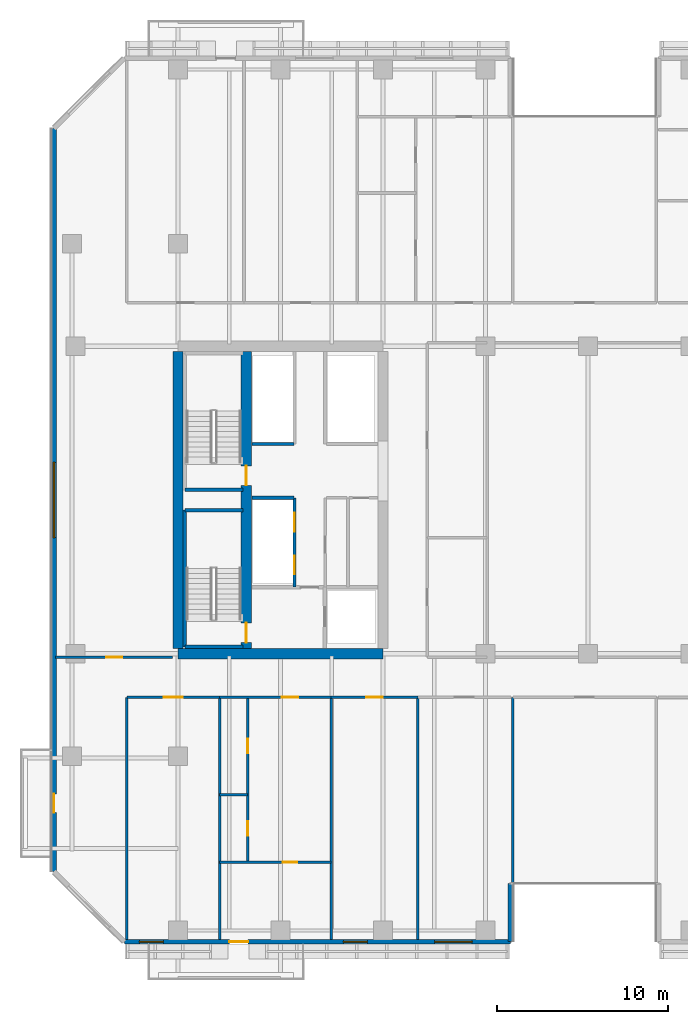
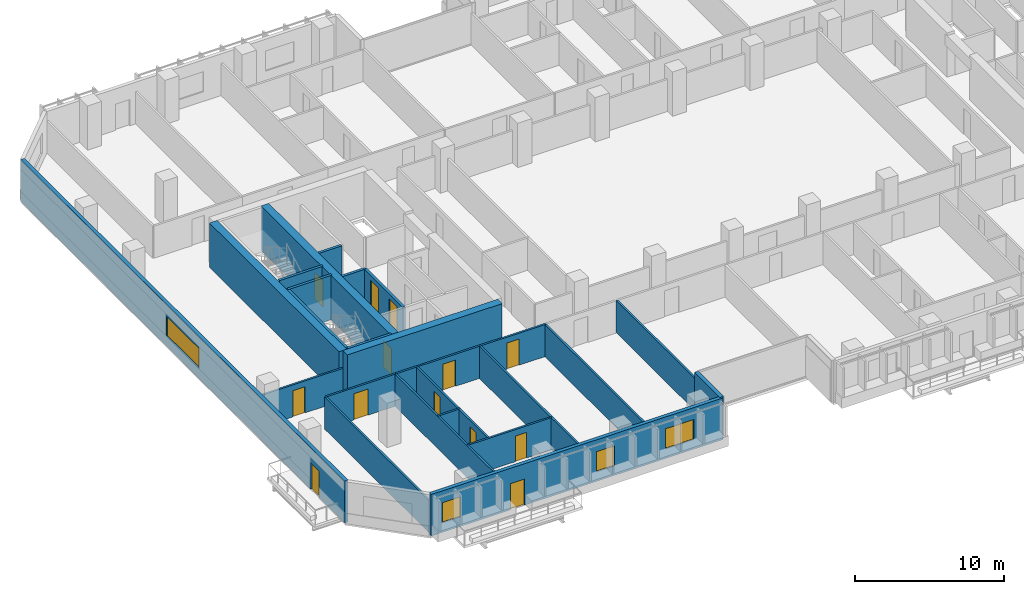
# One storey, part 10 of 26: 25 walls, 13 doors, 4 windows, 17 openings.
"""IFC4 building model written with IfcOpenShell, lengths in metres."""

from ifc_helpers import new_model, si_unit, direction, frame, frame_2d, origin, place, context, subcontext, project, spatial, rectangle, extrude, material, layer, layer_set, type_object, element, fill, save


model = new_model("IFC4")

# Units and contexts
model_context = context("Model", 3, precision=1e-05, world=origin(), true_north=direction((0.0, 1.0)))
body_context = subcontext(model_context, "Body", "Model", "MODEL_VIEW")
ifc_project = project(units=[si_unit("LENGTHUNIT", "METRE"), si_unit("AREAUNIT", "SQUARE_METRE"), si_unit("VOLUMEUNIT", "CUBIC_METRE"), si_unit("PLANEANGLEUNIT", "RADIAN"), si_unit("MASSUNIT", "GRAM", prefix="KILO")], contexts=[model_context])

# Site, building, storey
site_placement = place(None, origin())
site = spatial("IfcSite", under=ifc_project, at=site_placement, CompositionType="ELEMENT")
building_placement = place(site_placement, origin())
building = spatial("IfcBuilding", under=site, at=building_placement, Name="Tanjung Sevakor Pilgrim Tower", CompositionType="ELEMENT")
storey_placement = place(building_placement, frame((0.0, 0.0, 66.0)))
storey = spatial("IfcBuildingStorey", under=building, at=storey_placement, Name="L18", CompositionType="ELEMENT", Elevation=66.0)

# Walls
ifc_material_1 = material(Name="Concrete C60/75", Category="concrete")
ifc_layer_1 = layer(ifc_material_1, 0.60009765625)
ifc_layer_set_1 = layer_set([ifc_layer_1], Name="WALL-CW-600")
wall_type_1 = type_object("IfcWallType", Name="WALL-CW-600", PredefinedType="SHEAR", material=ifc_layer_set_1)
wall_1_placement = place(storey_placement, frame((24.0, 24.60009765625, 0.0), z_axis=(0.0, 0.0, 1.0), x_axis=(1.0, 0.0, 0.0)))
element("IfcWall", 1, at=wall_1_placement, inside=storey, type_object=wall_type_1, Name="L18 W Core South Shear Wall", PredefinedType="SHEAR", context=body_context, shape_type="SweptSolid", body=[
    extrude(rectangle(XDim=12.0, YDim=0.60009765625, at=frame_2d((6.0, 0.0))), origin(), (0.0, 0.0, 1.0), 3.6298828125),
])
wall_2_placement = place(storey_placement, frame((24.0, 24.89990234375, 0.0), z_axis=(0.0, 0.0, 1.0), x_axis=(0.0, 1.0, 0.0)))
element("IfcWall", 2, at=wall_2_placement, inside=storey, type_object=wall_type_1, Name="L18 W Core Outer Shear Wall", PredefinedType="SHEAR", context=body_context, shape_type="SweptSolid", body=[
    extrude(rectangle(XDim=17.400146484375, YDim=0.60009765625, at=frame_2d((8.7001953125, 0.0))), origin(), (0.0, 0.0, 1.0), 3.6298828125),
])

# Wall, openings, doors
wall_3_placement = place(storey_placement, frame((28.0, 24.89990234375, 0.0), z_axis=(0.0, 0.0, 1.0), x_axis=(0.0, 1.0, 0.0)))
wall_3 = element("IfcWall", 3, at=wall_3_placement, inside=storey, type_object=wall_type_1, Name="L18 W Core Stair Spine Wall", PredefinedType="SHEAR", context=body_context, shape_type="SweptSolid", body=[
    extrude(rectangle(XDim=17.400146484375, YDim=0.60009765625, at=frame_2d((8.7001953125, 0.0))), origin(), (0.0, 0.0, 1.0), 3.6298828125),
])
opening_1_placement = place(wall_3_placement, frame((0.35009765625, 0.0, 0.0)))
opening_1 = element("IfcOpeningElement", 4, at=opening_1_placement, cuts=wall_3, Name="Opening ID-ST1", PredefinedType="OPENING", context=body_context, shape_type="SweptSolid", body=[
    extrude(rectangle(XDim=1.14990234375, YDim=2.14990234375, at=frame_2d((0.574951171875, 1.074951171875))), frame((0.0, 0.31005859375, 0.0), z_axis=(0.0, -1.0, 0.0), x_axis=(1.0, 0.0, 0.0)), (0.0, 0.0, 1.0), 0.6201171875),
])
opening_2_placement = place(wall_3_placement, frame((9.550048828125, 0.0, 0.0)))
opening_2 = element("IfcOpeningElement", 5, at=opening_2_placement, cuts=wall_3, Name="Opening ID-ST1", PredefinedType="OPENING", context=body_context, shape_type="SweptSolid", body=[
    extrude(rectangle(XDim=1.14990234375, YDim=2.14990234375, at=frame_2d((0.574951171875, 1.074951171875))), frame((0.0, 0.31005859375, 0.0), z_axis=(0.0, -1.0, 0.0), x_axis=(1.0, 0.0, 0.0)), (0.0, 0.0, 1.0), 0.6201171875),
])
ifc_material_2 = material(Name="Fire-Rated Steel S355J2", Category="steel")
door_type_1 = type_object("IfcDoorType", Name="DT-FIRE-1150", OperationType="NOTDEFINED", PredefinedType="DOOR", material=ifc_material_2)
door_1_placement = place(opening_1_placement, origin())
door_1 = element("IfcDoor", 6, at=door_1_placement, inside=storey, type_object=door_type_1, Name="L18 TS-W1 Stair Fire Door", OperationType="SINGLE_SWING_RIGHT", OverallHeight=2.14990234375, OverallWidth=1.14990234375, PredefinedType="DOOR", context=body_context, shape_type="SweptSolid", body=[
    extrude(rectangle(XDim=1.14990234375, YDim=2.14990234375, at=frame_2d((0.574951171875, 1.074951171875))), frame((0.0, 0.02490234375, 0.0), z_axis=(0.0, -1.0, 0.0), x_axis=(1.0, 0.0, 0.0)), (0.0, 0.0, 1.0), 0.050048828125),
])
fill(opening_1, door_1)
door_2_placement = place(opening_2_placement, origin())
door_2 = element("IfcDoor", 7, at=door_2_placement, inside=storey, type_object=door_type_1, Name="L18 TS-W2 Stair Fire Door", OperationType="SINGLE_SWING_LEFT", OverallHeight=2.14990234375, OverallWidth=1.14990234375, PredefinedType="DOOR", context=body_context, shape_type="SweptSolid", body=[
    extrude(rectangle(XDim=1.14990234375, YDim=2.14990234375, at=frame_2d((0.574951171875, 1.074951171875))), frame((0.0, 0.02490234375, 0.0), z_axis=(0.0, -1.0, 0.0), x_axis=(1.0, 0.0, 0.0)), (0.0, 0.0, 1.0), 0.050048828125),
])
fill(opening_2, door_2)

# Wall, opening, door
ifc_material_3 = material(Name="Concrete C40/50", Category="concrete")
ifc_layer_2 = layer(ifc_material_3, 0.14990234375)
ifc_layer_set_2 = layer_set([ifc_layer_2], Name="WT-COMP-150")
wall_type_2 = type_object("IfcWallType", Name="WT-COMP-150", PredefinedType="SOLIDWALL", material=ifc_layer_set_2)
wall_4_placement = place(storey_placement, frame((16.840087890625, 24.39990234375, 0.0), z_axis=(0.0, 0.0, 1.0), x_axis=(1.0, 0.0, 0.0)))
wall_4 = element("IfcWall", 8, at=wall_4_placement, inside=storey, type_object=wall_type_2, Name="L18 Partition IW-L18-039", PredefinedType="SOLIDWALL", context=body_context, shape_type="SweptSolid", body=[
    extrude(rectangle(XDim=6.83984375, YDim=0.14990234375, at=frame_2d((3.419921875, 0.0))), origin(), (0.0, 0.0, 1.0), 2.625244140625),
])
opening_3_placement = place(wall_4_placement, frame((2.945068359375, 0.0, 0.0)))
opening_3 = element("IfcOpeningElement", 9, at=opening_3_placement, cuts=wall_4, Name="Opening ID-FD2", PredefinedType="OPENING", context=body_context, shape_type="SweptSolid", body=[
    extrude(rectangle(XDim=0.949951171875, YDim=2.14990234375, at=frame_2d((0.47509765625, 1.074951171875))), frame((0.0, 0.0849609375, 0.0), z_axis=(0.0, -1.0, 0.0), x_axis=(1.0, 0.0, 0.0)), (0.0, 0.0, 1.0), 0.169921875),
])
ifc_material_4 = material(Name="Fire-Rated Timber", Category="wood")
door_type_2 = type_object("IfcDoorType", Name="DT-FIRE-950", OperationType="NOTDEFINED", PredefinedType="DOOR", material=ifc_material_4)
door_3_placement = place(opening_3_placement, origin())
door_3 = element("IfcDoor", 10, at=door_3_placement, inside=storey, type_object=door_type_2, Name="Study Room Entrance", OperationType="SINGLE_SWING_LEFT", OverallHeight=2.14990234375, OverallWidth=0.949951171875, PredefinedType="DOOR", context=body_context, shape_type="SweptSolid", body=[
    extrude(rectangle(XDim=0.949951171875, YDim=2.14990234375, at=frame_2d((0.47509765625, 1.074951171875))), frame((0.0, 0.02490234375, 0.0), z_axis=(0.0, -1.0, 0.0), x_axis=(1.0, 0.0, 0.0)), (0.0, 0.0, 1.0), 0.050048828125),
])
fill(opening_3, door_3)

# Walls
for number, where, z_axis, x_axis, name in (
    (11, (43.60009765625, 7.8798828125, 0.0), (0.0, 0.0, 1.0), (0.0, 1.0, 0.0), "L18 Partition IW-L18-047"),
    (12, (21.0, 7.8798828125, 0.0), (0.0, 0.0, 1.0), (0.0, 1.0, 0.0), "L18 Partition IW-L18-052"),
    (13, (26.433837890625, 7.8798828125, 0.0), (0.0, 0.0, 1.0), (0.0, 1.0, 0.0), "L18 Partition IW-L18-053"),
):
    element("IfcWall", number, at=place(storey_placement, frame(where, z_axis=z_axis, x_axis=x_axis)), inside=storey, type_object=wall_type_2, Name=name, PredefinedType="SOLIDWALL", context=body_context, shape_type="SweptSolid", body=[
        extrude(rectangle(XDim=14.170166015625, YDim=0.14990234375, at=frame_2d((7.0849609375, 0.0))), origin(), (0.0, 0.0, 1.0), 2.6298828125),
    ])

# Wall, opening, door
wall_5_placement = place(storey_placement, frame((21.0, 22.050048828125, 0.0), z_axis=(0.0, 0.0, 1.0), x_axis=(1.0, 0.0, 0.0)))
wall_5 = element("IfcWall", 14, at=wall_5_placement, inside=storey, type_object=wall_type_2, Name="L18 Partition IW-L18-054", PredefinedType="SOLIDWALL", context=body_context, shape_type="SweptSolid", body=[
    extrude(rectangle(XDim=5.433837890625, YDim=0.14990234375, at=frame_2d((2.716796875, 0.0))), origin(), (0.0, 0.0, 1.0), 2.6298828125),
])
opening_4_placement = place(wall_5_placement, frame((2.1669921875, 0.0, 0.0)))
opening_4 = element("IfcOpeningElement", 15, at=opening_4_placement, cuts=wall_5, Name="Opening ID-FD0", PredefinedType="OPENING", context=body_context, shape_type="SweptSolid", body=[
    extrude(rectangle(XDim=1.10009765625, YDim=2.14990234375, at=frame_2d((0.550048828125, 1.074951171875))), frame((0.0, 0.0849609375, 0.0), z_axis=(0.0, -1.0, 0.0), x_axis=(1.0, 0.0, 0.0)), (0.0, 0.0, 1.0), 0.169921875),
])
ifc_material_5 = material(Name="Fire-Rated Steel S355J2", Category="steel")
door_type_3 = type_object("IfcDoorType", Name="DT-FIRE-1100", OperationType="NOTDEFINED", PredefinedType="DOOR", material=ifc_material_5)
door_4_placement = place(opening_4_placement, origin())
door_4 = element("IfcDoor", 16, at=door_4_placement, inside=storey, type_object=door_type_3, Name="Communal Lounge Door", OperationType="SINGLE_SWING_RIGHT", OverallHeight=2.14990234375, OverallWidth=1.10009765625, PredefinedType="DOOR", context=body_context, shape_type="SweptSolid", body=[
    extrude(rectangle(XDim=1.10009765625, YDim=2.14990234375, at=frame_2d((0.550048828125, 1.074951171875))), frame((0.0, 0.02490234375, 0.0), z_axis=(0.0, -1.0, 0.0), x_axis=(1.0, 0.0, 0.0)), (0.0, 0.0, 1.0), 0.050048828125),
])
fill(opening_4, door_4)

# Wall
wall_6_placement = place(storey_placement, frame((32.963134765625, 7.8798828125, 0.0), z_axis=(0.0, 0.0, 1.0), x_axis=(0.0, 1.0, 0.0)))
element("IfcWall", 17, at=wall_6_placement, inside=storey, type_object=wall_type_2, Name="L18 Partition IW-L18-055", PredefinedType="SOLIDWALL", context=body_context, shape_type="SweptSolid", body=[
    extrude(rectangle(XDim=14.170166015625, YDim=0.14990234375, at=frame_2d((7.0849609375, 0.0))), origin(), (0.0, 0.0, 1.0), 2.6298828125),
])

# Wall, opening, door
wall_7_placement = place(storey_placement, frame((26.433837890625, 22.050048828125, 0.0), z_axis=(0.0, 0.0, 1.0), x_axis=(1.0, 0.0, 0.0)))
wall_7 = element("IfcWall", 18, at=wall_7_placement, inside=storey, type_object=wall_type_2, Name="L18 Partition IW-L18-059", PredefinedType="SOLIDWALL", context=body_context, shape_type="SweptSolid", body=[
    extrude(rectangle(XDim=6.529296875, YDim=0.14990234375, at=frame_2d((3.2646484375, 0.0))), origin(), (0.0, 0.0, 1.0), 2.6298828125),
])
opening_5_placement = place(wall_7_placement, frame((3.652587890625, 0.0, 0.0)))
opening_5 = element("IfcOpeningElement", 19, at=opening_5_placement, cuts=wall_7, Name="Opening ID-FD2", PredefinedType="OPENING", context=body_context, shape_type="SweptSolid", body=[
    extrude(rectangle(XDim=0.949951171875, YDim=2.14990234375, at=frame_2d((0.47509765625, 1.074951171875))), frame((0.0, 0.0849609375, 0.0), z_axis=(0.0, -1.0, 0.0), x_axis=(1.0, 0.0, 0.0)), (0.0, 0.0, 1.0), 0.169921875),
])
door_5_placement = place(opening_5_placement, origin())
door_5 = element("IfcDoor", 20, at=door_5_placement, inside=storey, type_object=door_type_2, Name="Residence Entrance", OperationType="SINGLE_SWING_RIGHT", OverallHeight=2.14990234375, OverallWidth=0.949951171875, PredefinedType="DOOR", context=body_context, shape_type="SweptSolid", body=[
    extrude(rectangle(XDim=0.949951171875, YDim=2.14990234375, at=frame_2d((0.47509765625, 1.074951171875))), frame((0.0, 0.02490234375, 0.0), z_axis=(0.0, -1.0, 0.0), x_axis=(1.0, 0.0, 0.0)), (0.0, 0.0, 1.0), 0.050048828125),
])
fill(opening_5, door_5)

# Wall
wall_8_placement = place(storey_placement, frame((38.04638671875, 7.8798828125, 0.0), z_axis=(0.0, 0.0, 1.0), x_axis=(0.0, 1.0, 0.0)))
element("IfcWall", 21, at=wall_8_placement, inside=storey, type_object=wall_type_2, Name="L18 Partition IW-L18-060", PredefinedType="SOLIDWALL", context=body_context, shape_type="SweptSolid", body=[
    extrude(rectangle(XDim=14.170166015625, YDim=0.14990234375, at=frame_2d((7.0849609375, 0.0))), origin(), (0.0, 0.0, 1.0), 2.6298828125),
])

# Wall, opening, door
wall_9_placement = place(storey_placement, frame((32.963134765625, 22.050048828125, 0.0), z_axis=(0.0, 0.0, 1.0), x_axis=(1.0, 0.0, 0.0)))
wall_9 = element("IfcWall", 22, at=wall_9_placement, inside=storey, type_object=wall_type_2, Name="L18 Partition IW-L18-061", PredefinedType="SOLIDWALL", context=body_context, shape_type="SweptSolid", body=[
    extrude(rectangle(XDim=5.083251953125, YDim=0.14990234375, at=frame_2d((2.54150390625, 0.0))), origin(), (0.0, 0.0, 1.0), 2.6298828125),
])
opening_6_placement = place(wall_9_placement, frame((2.066650390625, 0.0, 0.0)))
opening_6 = element("IfcOpeningElement", 23, at=opening_6_placement, cuts=wall_9, Name="Opening ID-FD2", PredefinedType="OPENING", context=body_context, shape_type="SweptSolid", body=[
    extrude(rectangle(XDim=0.949951171875, YDim=2.14990234375, at=frame_2d((0.47509765625, 1.074951171875))), frame((0.0, 0.0849609375, 0.0), z_axis=(0.0, -1.0, 0.0), x_axis=(1.0, 0.0, 0.0)), (0.0, 0.0, 1.0), 0.169921875),
])
door_6_placement = place(opening_6_placement, origin())
door_6 = element("IfcDoor", 24, at=door_6_placement, inside=storey, type_object=door_type_2, Name="Study Room Entrance", OperationType="SINGLE_SWING_LEFT", OverallHeight=2.14990234375, OverallWidth=0.949951171875, PredefinedType="DOOR", context=body_context, shape_type="SweptSolid", body=[
    extrude(rectangle(XDim=0.949951171875, YDim=2.14990234375, at=frame_2d((0.47509765625, 1.074951171875))), frame((0.0, 0.02490234375, 0.0), z_axis=(0.0, -1.0, 0.0), x_axis=(1.0, 0.0, 0.0)), (0.0, 0.0, 1.0), 0.050048828125),
])
fill(opening_6, door_6)

# Wall, openings, door, windows
ifc_material_6 = material(Name="Precast concrete C45/55", Category="concrete")
ifc_layer_3 = layer(ifc_material_6, 0.280029296875)
ifc_layer_set_3 = layer_set([ifc_layer_3], Name="WT-EW-STN2")
wall_type_3 = type_object("IfcWallType", Name="WT-EW-STN2", PredefinedType="SOLIDWALL", material=ifc_layer_set_3)
wall_10_placement = place(storey_placement, frame((20.85791015625, 7.739990234375, 0.0), z_axis=(0.0, 0.0, 1.0), x_axis=(1.0, 0.0, 0.0)))
wall_10 = element("IfcWall", 25, at=wall_10_placement, inside=storey, type_object=wall_type_3, Name="L18 MAIN Exterior Wall 1", PredefinedType="SOLIDWALL", context=body_context, shape_type="SweptSolid", body=[
    extrude(rectangle(XDim=22.60205078125, YDim=0.280029296875, at=frame_2d((11.301025390625, 0.0))), origin(), (0.0, 0.0, 1.0), 3.409912109375),
])
opening_7_placement = place(wall_10_placement, frame((6.14208984375, 0.0, 0.0)))
opening_7 = element("IfcOpeningElement", 26, at=opening_7_placement, cuts=wall_10, Name="Opening ED-BAL-1100", PredefinedType="OPENING", context=body_context, shape_type="SweptSolid", body=[
    extrude(rectangle(XDim=1.10009765625, YDim=2.14990234375, at=frame_2d((0.550048828125, 1.074951171875))), frame((0.0, 0.14990234375, 0.0), z_axis=(0.0, -1.0, 0.0), x_axis=(1.0, 0.0, 0.0)), (0.0, 0.0, 1.0), 0.300048828125),
])
opening_8_placement = place(wall_10_placement, frame((0.87890625, 0.0, 0.780029296875)))
opening_8 = element("IfcOpeningElement", 27, at=opening_8_placement, cuts=wall_10, Name="Opening WN-END", PredefinedType="OPENING", context=body_context, shape_type="SweptSolid", body=[
    extrude(rectangle(XDim=1.39990234375, YDim=1.64990234375, at=frame_2d((0.699951171875, 0.824951171875))), frame((0.0, 0.14990234375, 0.0), z_axis=(0.0, -1.0, 0.0), x_axis=(1.0, 0.0, 0.0)), (0.0, 0.0, 1.0), 0.300048828125),
])
opening_9_placement = place(wall_10_placement, frame((12.82666015625, 0.0, 0.780029296875)))
opening_9 = element("IfcOpeningElement", 28, at=opening_9_placement, cuts=wall_10, Name="Opening WN-END", PredefinedType="OPENING", context=body_context, shape_type="SweptSolid", body=[
    extrude(rectangle(XDim=1.39990234375, YDim=1.64990234375, at=frame_2d((0.699951171875, 0.824951171875))), frame((0.0, 0.14990234375, 0.0), z_axis=(0.0, -1.0, 0.0), x_axis=(1.0, 0.0, 0.0)), (0.0, 0.0, 1.0), 0.300048828125),
])
opening_10_placement = place(wall_10_placement, frame((18.1650390625, 0.0, 0.780029296875)))
opening_10 = element("IfcOpeningElement", 29, at=opening_10_placement, cuts=wall_10, Name="Opening WN-Z1-1660", PredefinedType="OPENING", context=body_context, shape_type="SweptSolid", body=[
    extrude(rectangle(XDim=2.199951171875, YDim=1.659912109375, at=frame_2d((1.10009765625, 0.830078125))), frame((0.0, 0.14990234375, 0.0), z_axis=(0.0, -1.0, 0.0), x_axis=(1.0, 0.0, 0.0)), (0.0, 0.0, 1.0), 0.300048828125),
])
ifc_material_7 = material(Name="Anodised Aluminium and Laminated Glass", Category="aluminium")
door_type_4 = type_object("IfcDoorType", Name="DTYP-ED-BAL-1100", OperationType="NOTDEFINED", PredefinedType="DOOR", material=ifc_material_7)
door_7_placement = place(opening_7_placement, frame((1.10009765625, 0.0, 0.0), z_axis=(0.0, 0.0, 1.0), x_axis=(-1.0, 0.0, 0.0)))
door_7 = element("IfcDoor", 30, at=door_7_placement, inside=storey, type_object=door_type_4, Name="L18 Balcony Door MAIN-S1", OperationType="SINGLE_SWING_RIGHT", OverallHeight=2.14990234375, OverallWidth=1.10009765625, PredefinedType="DOOR", context=body_context, shape_type="SweptSolid", body=[
    extrude(rectangle(XDim=1.10009765625, YDim=2.14990234375, at=frame_2d((0.550048828125, 1.074951171875))), frame((0.0, 0.02490234375, 0.0), z_axis=(0.0, -1.0, 0.0), x_axis=(1.0, 0.0, 0.0)), (0.0, 0.0, 1.0), 0.050048828125),
])
fill(opening_7, door_7)
ifc_material_8 = material(Name="Thermally Broken Aluminium and Low-E Glass", Category="aluminium")
window_type_1 = type_object("IfcWindowType", Name="WTYP-WN-END", PartitioningType="SINGLE_PANEL", PredefinedType="WINDOW", material=ifc_material_8)
window_1_placement = place(opening_8_placement, origin())
window_1 = element("IfcWindow", 31, at=window_1_placement, inside=storey, type_object=window_type_1, Name="L18 Facade Window 01", OverallHeight=1.64990234375, OverallWidth=1.39990234375, PartitioningType="SINGLE_PANEL", PredefinedType="WINDOW", context=body_context, shape_type="SweptSolid", body=[
    extrude(rectangle(XDim=1.39990234375, YDim=1.64990234375, at=frame_2d((0.699951171875, 0.824951171875))), frame((0.0, 0.030029296875, 0.0), z_axis=(0.0, -1.0, 0.0), x_axis=(1.0, 0.0, 0.0)), (0.0, 0.0, 1.0), 0.06005859375),
])
fill(opening_8, window_1)
window_2_placement = place(opening_9_placement, origin())
window_2 = element("IfcWindow", 32, at=window_2_placement, inside=storey, type_object=window_type_1, Name="L18 Facade Window 02", OverallHeight=1.64990234375, OverallWidth=1.39990234375, PartitioningType="SINGLE_PANEL", PredefinedType="WINDOW", context=body_context, shape_type="SweptSolid", body=[
    extrude(rectangle(XDim=1.39990234375, YDim=1.64990234375, at=frame_2d((0.699951171875, 0.824951171875))), frame((0.0, 0.030029296875, 0.0), z_axis=(0.0, -1.0, 0.0), x_axis=(1.0, 0.0, 0.0)), (0.0, 0.0, 1.0), 0.06005859375),
])
fill(opening_9, window_2)
ifc_material_9 = material(Name="Thermally Broken Aluminium and Low-E Glass", Category="aluminium")
window_type_2 = type_object("IfcWindowType", Name="WTYP-WN-Z1-1660", PartitioningType="DOUBLE_PANEL_VERTICAL", PredefinedType="WINDOW", material=ifc_material_9)
window_3_placement = place(opening_10_placement, origin())
window_3 = element("IfcWindow", 33, at=window_3_placement, inside=storey, type_object=window_type_2, Name="L18 Facade Window 03", OverallHeight=1.659912109375, OverallWidth=2.199951171875, PartitioningType="SINGLE_PANEL", PredefinedType="WINDOW", context=body_context, shape_type="SweptSolid", body=[
    extrude(rectangle(XDim=2.199951171875, YDim=1.659912109375, at=frame_2d((1.10009765625, 0.830078125))), frame((0.0, 0.030029296875, 0.0), z_axis=(0.0, -1.0, 0.0), x_axis=(1.0, 0.0, 0.0)), (0.0, 0.0, 1.0), 0.06005859375),
])
fill(opening_10, window_3)

# Wall
wall_11_placement = place(storey_placement, frame((43.4599609375, 7.739990234375, 0.0), z_axis=(0.0, 0.0, 1.0), x_axis=(0.0, 1.0, 0.0)))
element("IfcWall", 34, at=wall_11_placement, inside=storey, type_object=wall_type_3, Name="L18 MAIN Exterior Wall 2", PredefinedType="SOLIDWALL", context=body_context, shape_type="SweptSolid", body=[
    extrude(rectangle(XDim=3.39990234375, YDim=0.280029296875, at=frame_2d((1.699951171875, 0.0))), origin(), (0.0, 0.0, 1.0), 3.409912109375),
])

# Wall, openings, door, window
wall_12_placement = place(storey_placement, frame((16.739990234375, 55.342041015625, 0.0), z_axis=(0.0, 0.0, 1.0), x_axis=(0.0, -1.0, 0.0)))
wall_12 = element("IfcWall", 35, at=wall_12_placement, inside=storey, type_object=wall_type_3, Name="L18 MAIN Exterior Wall 15", PredefinedType="SOLIDWALL", context=body_context, shape_type="SweptSolid", body=[
    extrude(rectangle(XDim=43.484130859375, YDim=0.280029296875, at=frame_2d((21.7421875, 0.0))), origin(), (0.0, 0.0, 1.0), 3.409912109375),
])
opening_11_placement = place(wall_12_placement, frame((38.94189453125, 0.0, 0.0)))
opening_11 = element("IfcOpeningElement", 36, at=opening_11_placement, cuts=wall_12, Name="Opening ED-BAL-1100", PredefinedType="OPENING", context=body_context, shape_type="SweptSolid", body=[
    extrude(rectangle(XDim=1.10009765625, YDim=2.14990234375, at=frame_2d((0.550048828125, 1.074951171875))), frame((0.0, 0.14990234375, 0.0), z_axis=(0.0, -1.0, 0.0), x_axis=(1.0, 0.0, 0.0)), (0.0, 0.0, 1.0), 0.300048828125),
])
opening_12_placement = place(wall_12_placement, frame((19.5419921875, 0.0, 0.780029296875)))
opening_12 = element("IfcOpeningElement", 37, at=opening_12_placement, cuts=wall_12, Name="Opening WN-ENDW-1660", PredefinedType="OPENING", context=body_context, shape_type="SweptSolid", body=[
    extrude(rectangle(XDim=4.39990234375, YDim=1.659912109375, at=frame_2d((2.199951171875, 0.830078125))), frame((0.0, 0.14990234375, 0.0), z_axis=(0.0, -1.0, 0.0), x_axis=(1.0, 0.0, 0.0)), (0.0, 0.0, 1.0), 0.300048828125),
])
door_8_placement = place(opening_11_placement, frame((1.10009765625, 0.0, 0.0), z_axis=(0.0, 0.0, 1.0), x_axis=(-1.0, 0.0, 0.0)))
door_8 = element("IfcDoor", 38, at=door_8_placement, inside=storey, type_object=door_type_4, Name="L18 West Loggia Door MAIN-W1", OperationType="SINGLE_SWING_LEFT", OverallHeight=2.14990234375, OverallWidth=1.10009765625, PredefinedType="DOOR", context=body_context, shape_type="SweptSolid", body=[
    extrude(rectangle(XDim=1.10009765625, YDim=2.14990234375, at=frame_2d((0.550048828125, 1.074951171875))), frame((0.0, 0.02490234375, 0.0), z_axis=(0.0, -1.0, 0.0), x_axis=(1.0, 0.0, 0.0)), (0.0, 0.0, 1.0), 0.050048828125),
])
fill(opening_11, door_8)
ifc_material_10 = material(Name="Thermally Broken Aluminium and Low-E Glass", Category="aluminium")
window_type_3 = type_object("IfcWindowType", Name="WTYP-WN-ENDW-1660", PartitioningType="DOUBLE_PANEL_VERTICAL", PredefinedType="WINDOW", material=ifc_material_10)
window_4_placement = place(opening_12_placement, origin())
window_4 = element("IfcWindow", 39, at=window_4_placement, inside=storey, type_object=window_type_3, Name="L18 Facade Window 01", OverallHeight=1.659912109375, OverallWidth=4.39990234375, PartitioningType="SINGLE_PANEL", PredefinedType="WINDOW", context=body_context, shape_type="SweptSolid", body=[
    extrude(rectangle(XDim=4.39990234375, YDim=1.659912109375, at=frame_2d((2.199951171875, 0.830078125))), frame((0.0, 0.030029296875, 0.0), z_axis=(0.0, -1.0, 0.0), x_axis=(1.0, 0.0, 0.0)), (0.0, 0.0, 1.0), 0.06005859375),
])
fill(opening_12, window_4)

# Walls
ifc_material_11 = material(Name="Concrete C40/50", Category="concrete")
ifc_layer_4 = layer(ifc_material_11, 0.199951171875)
ifc_layer_set_4 = layer_set([ifc_layer_4], Name="WT-FIRE-200")
wall_type_4 = type_object("IfcWallType", Name="WT-FIRE-200", PredefinedType="SOLIDWALL", material=ifc_layer_set_4)
for number, where, z_axis, x_axis, name in (
    (40, (24.39990234375, 25.0, 0.0), (0.0, 0.0, 1.0), (1.0, 0.0, 0.0), "L18 TS-W1 Shaft Wall 1"),
    (41, (27.800048828125, 33.0, 0.0), (0.0, 0.0, 1.0), (-1.0, 0.0, 0.0), "L18 TS-W1 Shaft Wall 2"),
):
    element("IfcWall", number, at=place(storey_placement, frame(where, z_axis=z_axis, x_axis=x_axis)), inside=storey, type_object=wall_type_4, Name=name, PredefinedType="SOLIDWALL", context=body_context, shape_type="SweptSolid", body=[
        extrude(rectangle(XDim=3.400146484375, YDim=0.199951171875, at=frame_2d((1.7001953125, 0.0))), origin(), (0.0, 0.0, 1.0), 3.6298828125),
    ])
wall_13_placement = place(storey_placement, frame((24.39990234375, 33.0, 0.0), z_axis=(0.0, 0.0, 1.0), x_axis=(0.0, -1.0, 0.0)))
element("IfcWall", 42, at=wall_13_placement, inside=storey, type_object=wall_type_4, Name="L18 TS-W1 Shaft Wall 3", PredefinedType="SOLIDWALL", context=body_context, shape_type="SweptSolid", body=[
    extrude(rectangle(XDim=8.0, YDim=0.199951171875, at=frame_2d((4.0, 0.0))), origin(), (0.0, 0.0, 1.0), 3.6298828125),
])
wall_14_placement = place(storey_placement, frame((24.39990234375, 34.199951171875, 0.0), z_axis=(0.0, 0.0, 1.0), x_axis=(1.0, 0.0, 0.0)))
element("IfcWall", 43, at=wall_14_placement, inside=storey, type_object=wall_type_4, Name="L18 TS-W2 Shaft Wall 1", PredefinedType="SOLIDWALL", context=body_context, shape_type="SweptSolid", body=[
    extrude(rectangle(XDim=3.400146484375, YDim=0.199951171875, at=frame_2d((1.7001953125, 0.0))), origin(), (0.0, 0.0, 1.0), 3.6298828125),
])
ifc_material_12 = material(Name="Concrete C40/50", Category="concrete")
ifc_layer_5 = layer(ifc_material_12, 0.199951171875)
ifc_layer_set_5 = layer_set([ifc_layer_5], Name="WT-FPRT-200")
wall_type_5 = type_object("IfcWallType", Name="WT-FPRT-200", PredefinedType="SOLIDWALL", material=ifc_layer_set_5)
wall_15_placement = place(storey_placement, frame((28.320068359375, 33.719970703125, 0.0), z_axis=(0.0, 0.0, 1.0), x_axis=(1.0, 0.0, 0.0)))
element("IfcWall", 44, at=wall_15_placement, inside=storey, type_object=wall_type_5, Name="L18 Partition IW-L18-003", PredefinedType="SOLIDWALL", context=body_context, shape_type="SweptSolid", body=[
    extrude(rectangle(XDim=2.47998046875, YDim=0.199951171875, at=frame_2d((1.239990234375, 0.0))), origin(), (0.0, 0.0, 1.0), 2.6298828125),
])

# Wall, openings, doors
wall_16_placement = place(storey_placement, frame((30.820068359375, 28.5, 0.0), z_axis=(0.0, 0.0, 1.0), x_axis=(0.0, 1.0, 0.0)))
wall_16 = element("IfcWall", 45, at=wall_16_placement, inside=storey, type_object=wall_type_5, Name="L18 Partition IW-L18-004", PredefinedType="SOLIDWALL", context=body_context, shape_type="SweptSolid", body=[
    extrude(rectangle(XDim=5.219970703125, YDim=0.199951171875, at=frame_2d((2.60986328125, 0.0))), origin(), (0.0, 0.0, 1.0), 2.6298828125),
])
opening_13_placement = place(wall_16_placement, frame((0.75, 0.0, 0.0)))
opening_13 = element("IfcOpeningElement", 46, at=opening_13_placement, cuts=wall_16, Name="Opening LD-1100", PredefinedType="OPENING", context=body_context, shape_type="SweptSolid", body=[
    extrude(rectangle(XDim=1.10009765625, YDim=2.199951171875, at=frame_2d((0.550048828125, 1.10009765625))), frame((0.0, 0.10986328125, 0.0), z_axis=(0.0, -1.0, 0.0), x_axis=(1.0, 0.0, 0.0)), (0.0, 0.0, 1.0), 0.219970703125),
])
opening_14_placement = place(wall_16_placement, frame((3.25, 0.0, 0.0)))
opening_14 = element("IfcOpeningElement", 47, at=opening_14_placement, cuts=wall_16, Name="Opening LD-1100", PredefinedType="OPENING", context=body_context, shape_type="SweptSolid", body=[
    extrude(rectangle(XDim=1.10009765625, YDim=2.199951171875, at=frame_2d((0.550048828125, 1.10009765625))), frame((0.0, 0.10986328125, 0.0), z_axis=(0.0, -1.0, 0.0), x_axis=(1.0, 0.0, 0.0)), (0.0, 0.0, 1.0), 0.219970703125),
])
ifc_material_13 = material(Name="Brushed Stainless Steel S355J2", Category="steel")
door_type_5 = type_object("IfcDoorType", Name="DT-LIFT-1100", OperationType="SLIDING_TO_LEFT", PredefinedType="DOOR", material=ifc_material_13)
door_9_placement = place(opening_13_placement, origin())
door_9 = element("IfcDoor", 48, at=door_9_placement, inside=storey, type_object=door_type_5, Name="LD-PLL1-W", OperationType="SLIDING_TO_LEFT", OverallHeight=2.199951171875, OverallWidth=1.10009765625, PredefinedType="DOOR", context=body_context, shape_type="SweptSolid", body=[
    extrude(rectangle(XDim=1.10009765625, YDim=2.199951171875, at=frame_2d((0.550048828125, 1.10009765625))), frame((0.0, 0.02490234375, 0.0), z_axis=(0.0, -1.0, 0.0), x_axis=(1.0, 0.0, 0.0)), (0.0, 0.0, 1.0), 0.050048828125),
])
fill(opening_13, door_9)
door_10_placement = place(opening_14_placement, origin())
door_10 = element("IfcDoor", 49, at=door_10_placement, inside=storey, type_object=door_type_5, Name="LD-PLL2-W", OperationType="SLIDING_TO_RIGHT", OverallHeight=2.199951171875, OverallWidth=1.10009765625, PredefinedType="DOOR", context=body_context, shape_type="SweptSolid", body=[
    extrude(rectangle(XDim=1.10009765625, YDim=2.199951171875, at=frame_2d((0.550048828125, 1.10009765625))), frame((0.0, 0.02490234375, 0.0), z_axis=(0.0, -1.0, 0.0), x_axis=(1.0, 0.0, 0.0)), (0.0, 0.0, 1.0), 0.050048828125),
])
fill(opening_14, door_10)

# Walls
wall_17_placement = place(storey_placement, frame((28.320068359375, 36.8798828125, 0.0), z_axis=(0.0, 0.0, 1.0), x_axis=(1.0, 0.0, 0.0)))
element("IfcWall", 50, at=wall_17_placement, inside=storey, type_object=wall_type_5, Name="L18 Partition IW-L18-009", PredefinedType="SOLIDWALL", context=body_context, shape_type="SweptSolid", body=[
    extrude(rectangle(XDim=2.47998046875, YDim=0.199951171875, at=frame_2d((1.239990234375, 0.0))), origin(), (0.0, 0.0, 1.0), 2.6298828125),
])
ifc_material_14 = material(Name="Gypsum Board Partition", Category="gypsum board")
ifc_layer_6 = layer(ifc_material_14, 0.14990234375)
ifc_layer_set_6 = layer_set([ifc_layer_6], Name="WT-PART-150")
wall_type_6 = type_object("IfcWallType", Name="WT-PART-150", PredefinedType="PARTITIONING", material=ifc_layer_set_6)
wall_18_placement = place(storey_placement, frame((26.433837890625, 16.35546875, 0.0), z_axis=(0.0, 0.0, 1.0), x_axis=(1.0, 0.0, 0.0)))
element("IfcWall", 51, at=wall_18_placement, inside=storey, type_object=wall_type_6, Name="L18 Partition IW-L18-056", PredefinedType="PARTITIONING", context=body_context, shape_type="SweptSolid", body=[
    extrude(rectangle(XDim=1.646240234375, YDim=0.14990234375, at=frame_2d((0.8232421875, 0.0))), origin(), (0.0, 0.0, 1.0), 2.6298828125),
])

# Wall, openings, doors
wall_19_placement = place(storey_placement, frame((28.080078125, 12.398193359375, 0.0), z_axis=(0.0, 0.0, 1.0), x_axis=(0.0, 1.0, 0.0)))
wall_19 = element("IfcWall", 52, at=wall_19_placement, inside=storey, type_object=wall_type_6, Name="L18 Partition IW-L18-057", PredefinedType="PARTITIONING", context=body_context, shape_type="SweptSolid", body=[
    extrude(rectangle(XDim=9.65185546875, YDim=0.14990234375, at=frame_2d((4.825927734375, 0.0))), origin(), (0.0, 0.0, 1.0), 2.6298828125),
])
opening_15_placement = place(wall_19_placement, frame((1.5537109375, 0.0, 0.0)))
opening_15 = element("IfcOpeningElement", 53, at=opening_15_placement, cuts=wall_19, Name="Opening ID-WC1", PredefinedType="OPENING", context=body_context, shape_type="SweptSolid", body=[
    extrude(rectangle(XDim=0.85009765625, YDim=2.10009765625, at=frame_2d((0.425048828125, 1.050048828125))), frame((0.0, 0.0849609375, 0.0), z_axis=(0.0, -1.0, 0.0), x_axis=(1.0, 0.0, 0.0)), (0.0, 0.0, 1.0), 0.169921875),
])
opening_16_placement = place(wall_19_placement, frame((6.379638671875, 0.0, 0.0)))
opening_16 = element("IfcOpeningElement", 54, at=opening_16_placement, cuts=wall_19, Name="Opening ID-WC1", PredefinedType="OPENING", context=body_context, shape_type="SweptSolid", body=[
    extrude(rectangle(XDim=0.85009765625, YDim=2.10009765625, at=frame_2d((0.425048828125, 1.050048828125))), frame((0.0, 0.0849609375, 0.0), z_axis=(0.0, -1.0, 0.0), x_axis=(1.0, 0.0, 0.0)), (0.0, 0.0, 1.0), 0.169921875),
])
ifc_material_15 = material(Name="Moisture-Resistant Timber", Category="wood")
door_type_6 = type_object("IfcDoorType", Name="DT-INT-850", OperationType="NOTDEFINED", PredefinedType="DOOR", material=ifc_material_15)
door_11_placement = place(opening_15_placement, origin())
door_11 = element("IfcDoor", 55, at=door_11_placement, inside=storey, type_object=door_type_6, Name="Residence Bathroom Door", OperationType="SINGLE_SWING_LEFT", OverallHeight=2.10009765625, OverallWidth=0.85009765625, PredefinedType="DOOR", context=body_context, shape_type="SweptSolid", body=[
    extrude(rectangle(XDim=0.85009765625, YDim=2.10009765625, at=frame_2d((0.425048828125, 1.050048828125))), frame((0.0, 0.02490234375, 0.0), z_axis=(0.0, -1.0, 0.0), x_axis=(1.0, 0.0, 0.0)), (0.0, 0.0, 1.0), 0.050048828125),
])
fill(opening_15, door_11)
door_12_placement = place(opening_16_placement, origin())
door_12 = element("IfcDoor", 56, at=door_12_placement, inside=storey, type_object=door_type_6, Name="Residence Kitchenette Door", OperationType="SINGLE_SWING_RIGHT", OverallHeight=2.10009765625, OverallWidth=0.85009765625, PredefinedType="DOOR", context=body_context, shape_type="SweptSolid", body=[
    extrude(rectangle(XDim=0.85009765625, YDim=2.10009765625, at=frame_2d((0.425048828125, 1.050048828125))), frame((0.0, 0.02490234375, 0.0), z_axis=(0.0, -1.0, 0.0), x_axis=(1.0, 0.0, 0.0)), (0.0, 0.0, 1.0), 0.050048828125),
])
fill(opening_16, door_12)

# Wall, opening, door
wall_20_placement = place(storey_placement, frame((26.433837890625, 12.398193359375, 0.0), z_axis=(0.0, 0.0, 1.0), x_axis=(1.0, 0.0, 0.0)))
wall_20 = element("IfcWall", 57, at=wall_20_placement, inside=storey, type_object=wall_type_6, Name="L18 Partition IW-L18-058", PredefinedType="PARTITIONING", context=body_context, shape_type="SweptSolid", body=[
    extrude(rectangle(XDim=6.529296875, YDim=0.14990234375, at=frame_2d((3.2646484375, 0.0))), origin(), (0.0, 0.0, 1.0), 2.6298828125),
])
opening_17_placement = place(wall_20_placement, frame((3.70263671875, 0.0, 0.0)))
opening_17 = element("IfcOpeningElement", 58, at=opening_17_placement, cuts=wall_20, Name="Opening ID-WC1", PredefinedType="OPENING", context=body_context, shape_type="SweptSolid", body=[
    extrude(rectangle(XDim=0.85009765625, YDim=2.10009765625, at=frame_2d((0.425048828125, 1.050048828125))), frame((0.0, 0.0849609375, 0.0), z_axis=(0.0, -1.0, 0.0), x_axis=(1.0, 0.0, 0.0)), (0.0, 0.0, 1.0), 0.169921875),
])
door_13_placement = place(opening_17_placement, origin())
door_13 = element("IfcDoor", 59, at=door_13_placement, inside=storey, type_object=door_type_6, Name="Residence Bedroom Door", OperationType="SINGLE_SWING_LEFT", OverallHeight=2.10009765625, OverallWidth=0.85009765625, PredefinedType="DOOR", context=body_context, shape_type="SweptSolid", body=[
    extrude(rectangle(XDim=0.85009765625, YDim=2.10009765625, at=frame_2d((0.425048828125, 1.050048828125))), frame((0.0, 0.02490234375, 0.0), z_axis=(0.0, -1.0, 0.0), x_axis=(1.0, 0.0, 0.0)), (0.0, 0.0, 1.0), 0.050048828125),
])
fill(opening_17, door_13)

save(model, "model.ifc")
